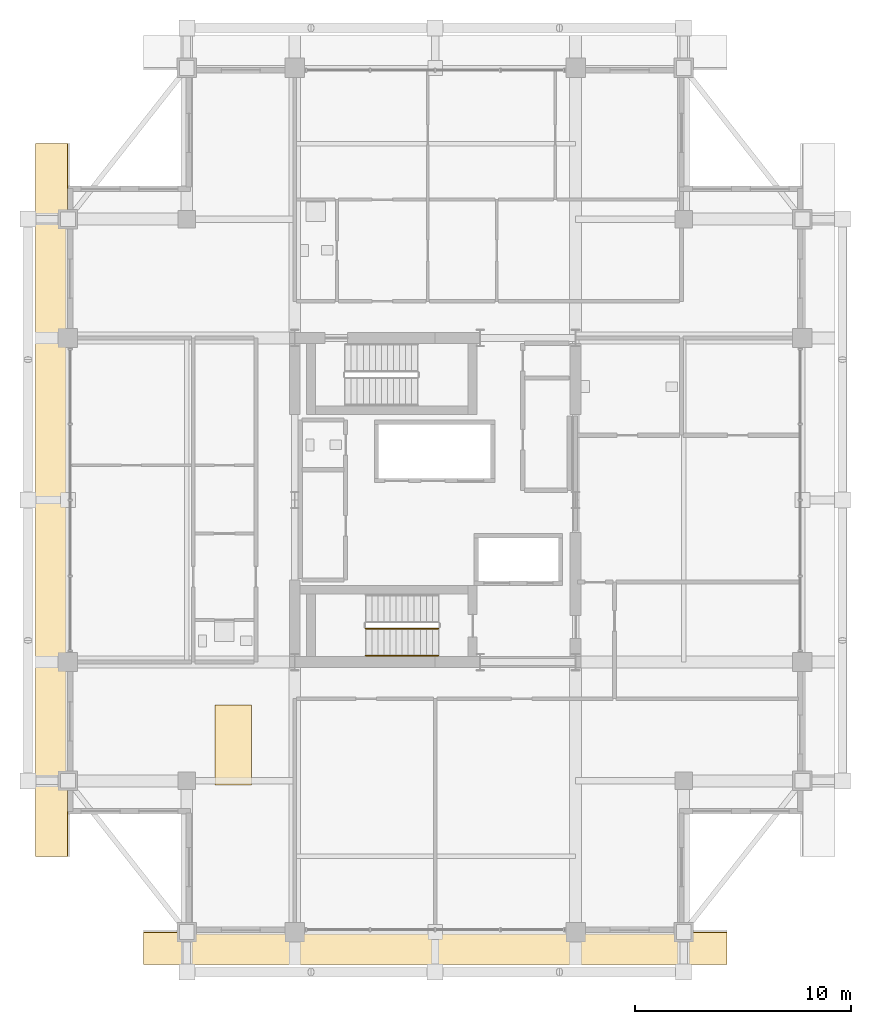
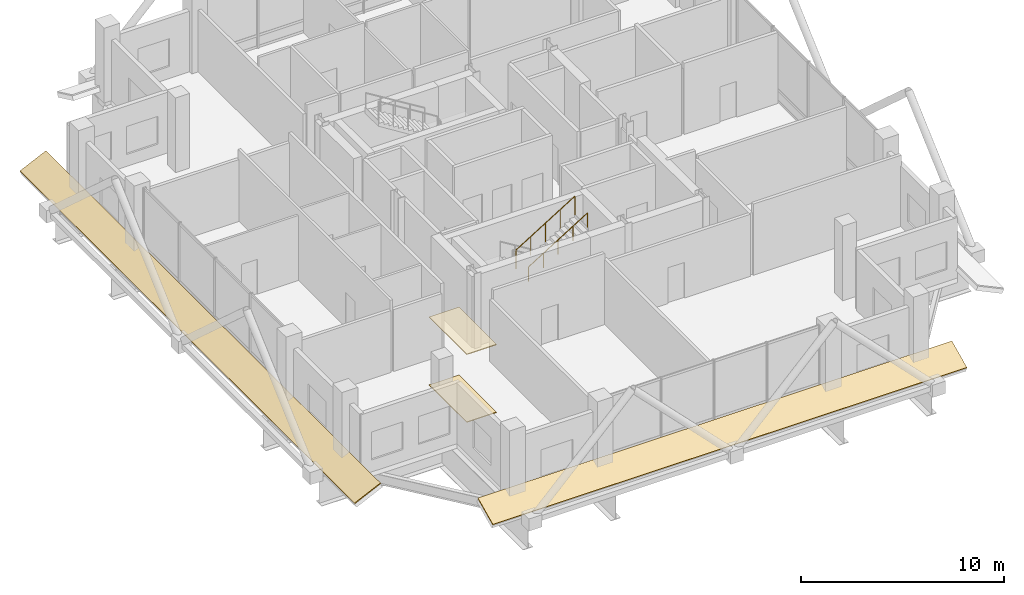
# One storey, part 24 of 27: 4 coverings, 2 railings.
"""IFC4 building model written with IfcOpenShell, lengths in metres."""

from ifc_helpers import new_model, si_unit, direction, frame, origin, origin_2d, place, context, subcontext, project, spatial, polyline, circle, outline, extrude, material, layer, layer_set, type_object, element, save


model = new_model("IFC4")

# Units and contexts
model_context = context("Model", 3, precision=1e-05, world=origin(), true_north=direction((0.0, 1.0)))
body_context = subcontext(model_context, "Body", "Model", "MODEL_VIEW")
ifc_project = project(units=[si_unit("LENGTHUNIT", "METRE"), si_unit("AREAUNIT", "SQUARE_METRE"), si_unit("VOLUMEUNIT", "CUBIC_METRE"), si_unit("PLANEANGLEUNIT", "RADIAN"), si_unit("MASSUNIT", "GRAM", prefix="KILO")], contexts=[model_context])

# Site, building, storey
site_placement = place(None, origin())
site = spatial("IfcSite", under=ifc_project, at=site_placement, CompositionType="ELEMENT")
building_placement = place(site_placement, origin())
building = spatial("IfcBuilding", under=site, at=building_placement, Name="Barlavira Tower and Art Museum", CompositionType="ELEMENT")
storey_placement = place(building_placement, frame((0.0, 0.0, 217.800048828125)))
storey = spatial("IfcBuildingStorey", under=building, at=storey_placement, Name="L56", CompositionType="ELEMENT", Elevation=217.800048828125)

# Covering
ifc_material_1 = material(Name="Polished Catarinense terrazzo", Category="concrete")
ifc_layer_1 = layer(ifc_material_1, 0.0400390625, Name="Polished Catarinense terrazzo")
ifc_layer_set_1 = layer_set([ifc_layer_1], Name="Polished Catarinense terrazzo")
covering_type_1 = type_object("IfcCoveringType", Name="Gallery Terrazzo Architectural Flooring 40", PredefinedType="FLOORING", material=ifc_layer_set_1)
covering_1_placement = place(storey_placement, origin())
element("IfcCovering", 1, at=covering_1_placement, inside=storey, type_object=covering_type_1, Name="L56 Lobby Terrazzo Flooring", PredefinedType="FLOORING", context=body_context, shape_type="SweptSolid", body=[
    extrude(outline(polyline([(-10.199951171875, -13.199951171875), (-8.5, -13.199951171875), (-8.5, -9.5), (-10.199951171875, -9.5), (-10.199951171875, -13.199951171875)])), origin(), (0.0, 0.0, 1.0), 0.0400390625),
])

# Railing
ifc_material_2 = material(Name="Brushed stainless steel", Category="steel")
railing_type_1 = type_object("IfcRailingType", Name="Interior Void and Landing Guard Railing 1150", PredefinedType="GUARDRAIL", material=ifc_material_2)
railing_1_placement = place(storey_placement, frame((-3.2099609375, -5.949951171875, 2.423095703125)))
element("IfcRailing", 2, at=railing_1_placement, inside=storey, type_object=railing_type_1, Name="L56 ST-T1 stair guard 3", PredefinedType="GUARDRAIL", context=body_context, shape_type="SweptSolid", body=[
    extrude(circle(Radius=0.02392578125, at=origin_2d()), frame((0.0, 0.0, 1.1259765625), z_axis=(0.850606129759, 0.0, 0.525803396734), x_axis=(0.0, 1.0, 0.0)), (0.0, 0.0, 1.0), 3.949951171875),
    extrude(circle(Radius=0.02099609375, at=origin_2d()), origin(), (0.0, 0.0, 1.0), 1.101806640625),
    extrude(circle(Radius=0.02099609375, at=origin_2d()), frame((0.83984375, 0.0, 0.519287109375)), (0.0, 0.0, 1.0), 1.101806640625),
    extrude(circle(Radius=0.02099609375, at=origin_2d()), frame((1.679931640625, 0.0, 1.03857421875)), (0.0, 0.0, 1.0), 1.101806640625),
    extrude(circle(Radius=0.02099609375, at=origin_2d()), frame((2.52001953125, 0.0, 1.5576171875)), (0.0, 0.0, 1.0), 1.101806640625),
    extrude(circle(Radius=0.02099609375, at=origin_2d()), frame((3.35986328125, 0.0, 2.076904296875)), (0.0, 0.0, 1.0), 1.101806640625),
])

# Coverings
ifc_material_3 = material(Name="FSC acoustic timber slat", Category="wood")
ifc_layer_2 = layer(ifc_material_3, 0.050048828125, Name="FSC acoustic timber slat")
ifc_layer_set_2 = layer_set([ifc_layer_2], Name="FSC acoustic timber slat")
covering_type_2 = type_object("IfcCoveringType", Name="Lobby Acoustic Timber-Slat Suspended Ceiling 50", PredefinedType="CEILING", material=ifc_layer_set_2)
covering_2_placement = place(storey_placement, frame((0.0, 0.0, 4.079833984375)))
element("IfcCovering", 3, at=covering_2_placement, inside=storey, type_object=covering_type_2, Name="L56 Lobby Acoustic Timber Ceiling", PredefinedType="CEILING", context=body_context, shape_type="SweptSolid", body=[
    extrude(outline(polyline([(-10.199951171875, -13.199951171875), (-8.5, -13.199951171875), (-8.5, -9.5), (-10.199951171875, -9.5), (-10.199951171875, -13.199951171875)])), origin(), (0.0, 0.0, 1.0), 0.050048828125),
])
ifc_material_4 = material(Name="Pale anodised aluminium", Category="aluminium")
ifc_layer_3 = layer(ifc_material_4, 0.06005859375, Name="Pale anodised aluminium")
ifc_layer_set_3 = layer_set([ifc_layer_3], Name="Pale anodised aluminium")
covering_type_3 = type_object("IfcCoveringType", Name="Sloped Roof Standing-Seam Pale-Metal Weathering 60", PredefinedType="ROOFING", material=ifc_layer_set_3)
covering_3_placement = place(storey_placement, frame((-13.5, -20.02001953125, 0.759521484375), z_axis=(0.0, -0.42729760809, 0.904111029753), x_axis=(1.0, 0.0, 0.0)))
element("IfcCovering", 4, at=covering_3_placement, inside=storey, type_object=covering_type_3, Name="L56 S Chisel Step-In Standing-Seam Pale-Metal Roofing", PredefinedType="ROOFING", context=body_context, shape_type="SweptSolid", body=[
    extrude(outline(polyline([(0.0, 0.0), (27.0, 0.0), (27.0, -1.6369454857272892), (0.0, -1.6369454857272892), (0.0, 0.0)])), origin(), (0.0, 0.0, -1.0), 0.06005859375),
])
covering_4_placement = place(storey_placement, frame((-18.5, -16.5, 0.06005859375), z_axis=(-0.42729760809, 0.0, 0.904111029753), x_axis=(0.904111029753, 0.0, 0.42729760809)))
element("IfcCovering", 5, at=covering_4_placement, inside=storey, type_object=covering_type_3, Name="L56 W Chisel Step-In Standing-Seam Pale-Metal Roofing", PredefinedType="ROOFING", context=body_context, shape_type="SweptSolid", body=[
    extrude(outline(polyline([(0.0, 0.0), (1.6369454857272892, 0.0), (1.6369454857272892, 33.0), (0.0, 33.0), (0.0, 0.0)])), origin(), (0.0, 0.0, -1.0), 0.06005859375),
])

# Railing
railing_type_2 = type_object("IfcRailingType", Name="Stair Pitch Tubular Steel Handrail 920", PredefinedType="HANDRAIL", material=ifc_material_2)
railing_2_placement = place(storey_placement, frame((-3.2099609375, -7.199951171875, 2.423095703125)))
element("IfcRailing", 6, at=railing_2_placement, inside=storey, type_object=railing_type_2, Name="L56 ST-T1 stair handrail 2", PredefinedType="HANDRAIL", context=body_context, shape_type="SweptSolid", body=[
    extrude(circle(Radius=0.02392578125, at=origin_2d()), frame((0.0, 0.0, 0.8759765625), z_axis=(0.850606129759, 0.0, 0.525803396734), x_axis=(0.0, 1.0, 0.0)), (0.0, 0.0, 1.0), 3.949951171875),
    extrude(circle(Radius=0.02099609375, at=origin_2d()), origin(), (0.0, 0.0, 1.0), 0.851806640625),
    extrude(circle(Radius=0.02099609375, at=origin_2d()), frame((0.83984375, 0.0, 0.519287109375)), (0.0, 0.0, 1.0), 0.851806640625),
    extrude(circle(Radius=0.02099609375, at=origin_2d()), frame((1.679931640625, 0.0, 1.03857421875)), (0.0, 0.0, 1.0), 0.851806640625),
    extrude(circle(Radius=0.02099609375, at=origin_2d()), frame((2.52001953125, 0.0, 1.5576171875)), (0.0, 0.0, 1.0), 0.851806640625),
    extrude(circle(Radius=0.02099609375, at=origin_2d()), frame((3.35986328125, 0.0, 2.076904296875)), (0.0, 0.0, 1.0), 0.851806640625),
])

save(model, "model.ifc")
